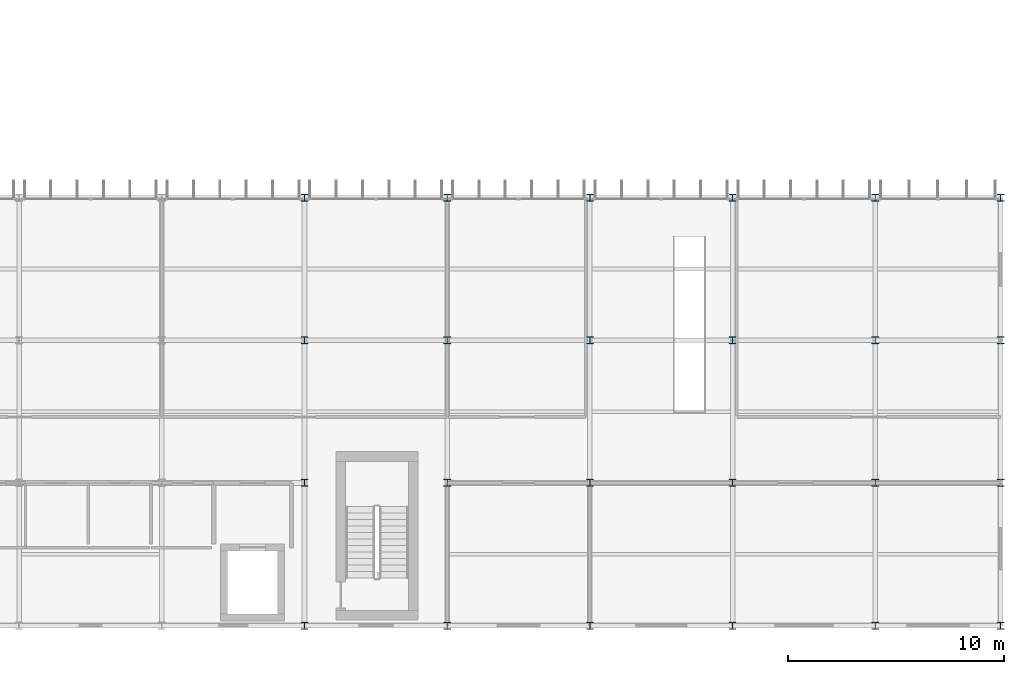
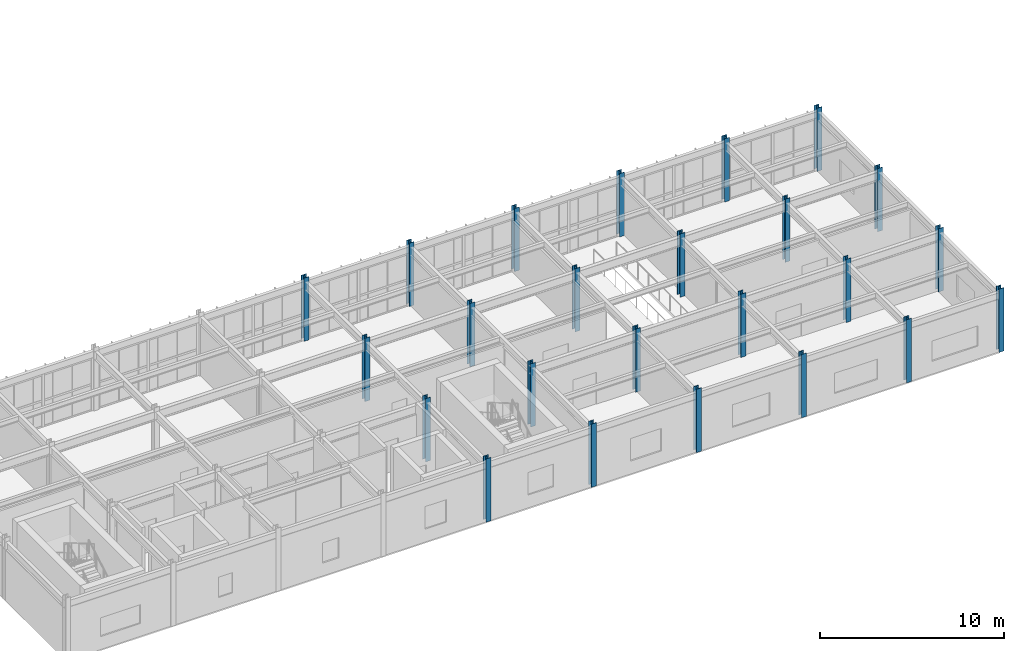
# One storey, part 18 of 130: 24 columns.
"""IFC4 building model written with IfcOpenShell, lengths in metres."""

from ifc_helpers import new_model, si_unit, direction, frame, origin, origin_2d, place, context, subcontext, project, spatial, i_section, extrude, material, material_profile, profile_set, type_object, element, save


model = new_model("IFC4")

# Units and contexts
model_context = context("Model", 3, precision=1e-05, world=origin(), true_north=direction((0.0, 1.0)))
body_context = subcontext(model_context, "Body", "Model", "MODEL_VIEW")
ifc_project = project(units=[si_unit("LENGTHUNIT", "METRE"), si_unit("AREAUNIT", "SQUARE_METRE"), si_unit("VOLUMEUNIT", "CUBIC_METRE"), si_unit("PLANEANGLEUNIT", "RADIAN"), si_unit("MASSUNIT", "GRAM", prefix="KILO")], contexts=[model_context])

# Site, building, storey
site_placement = place(None, origin())
site = spatial("IfcSite", under=ifc_project, at=site_placement, CompositionType="ELEMENT")
building_placement = place(site_placement, origin())
building = spatial("IfcBuilding", under=site, at=building_placement, Name="Karori Crest Natural Sciences Institute", CompositionType="ELEMENT")
storey_placement = place(building_placement, frame((0.0, 0.0, 17.5)))
storey = spatial("IfcBuildingStorey", under=building, at=storey_placement, Name="L04", CompositionType="ELEMENT", Elevation=17.5)

# Columns
ifc_material = material(Name="Structural steel AS/NZS 3679.1 Grade 350", Category="steel")
ifc_material_profile_1 = material_profile(ifc_material, i_section(OverallWidth=0.31103515625, OverallDepth=0.326904296875, WebThickness=0.015625, FlangeThickness=0.02490234375, FilletRadius=0.01708984375, at=origin_2d()), Name="310UC158")
ifc_profile_set_1 = profile_set([ifc_material_profile_1], Name="Structural steel AS/NZS 3679.1 Grade 350")
column_type_1 = type_object("IfcColumnType", Name="CT-04", PredefinedType="COLUMN", material=ifc_profile_set_1)
for number, where, z_axis, x_axis, name in (
    (1, (130.0, 0.800048828125, 0.0), (0.0, 0.0, 1.0), (1.0, 0.0, 0.0), "Column C-1214"),
    (2, (130.0, 20.60009765625, 0.0), (0.0, 0.0, 1.0), (1.0, 0.0, 0.0), "Column C-1250"),
    (3, (136.60009765625, 0.800048828125, 0.0), (0.0, 0.0, 1.0), (1.0, 0.0, 0.0), "Column C-1262"),
    (4, (136.60009765625, 20.60009765625, 0.0), (0.0, 0.0, 1.0), (1.0, 0.0, 0.0), "Column C-1298"),
    (5, (143.199951171875, 0.800048828125, 0.0), (0.0, 0.0, 1.0), (1.0, 0.0, 0.0), "Column C-1310"),
    (6, (143.199951171875, 20.60009765625, 0.0), (0.0, 0.0, 1.0), (1.0, 0.0, 0.0), "Column C-1343"),
    (7, (149.800048828125, 0.800048828125, 0.0), (0.0, 0.0, 1.0), (1.0, 0.0, 0.0), "Column C-1354"),
    (8, (149.800048828125, 20.60009765625, 0.0), (0.0, 0.0, 1.0), (1.0, 0.0, 0.0), "Column C-1387"),
    (9, (156.39990234375, 0.800048828125, 0.0), (0.0, 0.0, 1.0), (1.0, 0.0, 0.0), "Column C-1398"),
    (10, (156.39990234375, 20.60009765625, 0.0), (0.0, 0.0, 1.0), (1.0, 0.0, 0.0), "Column C-1425"),
    (11, (162.199951171875, 0.800048828125, 0.0), (0.0, 0.0, 1.0), (1.0, 0.0, 0.0), "Column C-1434"),
    (12, (162.199951171875, 7.39990234375, 0.0), (0.0, 0.0, 1.0), (1.0, 0.0, 0.0), "Column C-1441"),
    (13, (162.199951171875, 14.0, 0.0), (0.0, 0.0, 1.0), (1.0, 0.0, 0.0), "Column C-1448"),
    (14, (162.199951171875, 20.60009765625, 0.0), (0.0, 0.0, 1.0), (1.0, 0.0, 0.0), "Column C-1455"),
):
    element("IfcColumn", number, at=place(storey_placement, frame(where, z_axis=z_axis, x_axis=x_axis)), inside=storey, type_object=column_type_1, Name=name, PredefinedType="COLUMN", context=body_context, shape_type="SweptSolid", body=[
        extrude(i_section(OverallWidth=0.31103515625, OverallDepth=0.326904296875, WebThickness=0.015625, FlangeThickness=0.02490234375, FilletRadius=0.01708984375, at=origin_2d()), origin(), (0.0, 0.0, 1.0), 4.199951171875),
    ])
ifc_material_profile_2 = material_profile(ifc_material, i_section(OverallWidth=0.31103515625, OverallDepth=0.326904296875, WebThickness=0.015625, FlangeThickness=0.02490234375, FilletRadius=0.01708984375, at=origin_2d()), Name="310UC158")
ifc_profile_set_2 = profile_set([ifc_material_profile_2], Name="Structural steel AS/NZS 3679.1 Grade 350")
column_type_2 = type_object("IfcColumnType", Name="CT-04-IL", PredefinedType="COLUMN", material=ifc_profile_set_2)
for number, where, z_axis, x_axis, name in (
    (15, (130.0, 7.39990234375, 0.0), (0.0, 0.0, 1.0), (1.0, 0.0, 0.0), "Column C-1226"),
    (16, (130.0, 14.0, 0.0), (0.0, 0.0, 1.0), (1.0, 0.0, 0.0), "Column C-1238"),
    (17, (136.60009765625, 7.39990234375, 0.0), (0.0, 0.0, 1.0), (1.0, 0.0, 0.0), "Column C-1274"),
    (18, (136.60009765625, 14.0, 0.0), (0.0, 0.0, 1.0), (1.0, 0.0, 0.0), "Column C-1286"),
    (19, (143.199951171875, 7.39990234375, 0.0), (0.0, 0.0, 1.0), (1.0, 0.0, 0.0), "Column C-1321"),
    (20, (143.199951171875, 14.0, 0.0), (0.0, 0.0, 1.0), (1.0, 0.0, 0.0), "Column C-1332"),
    (21, (149.800048828125, 7.39990234375, 0.0), (0.0, 0.0, 1.0), (1.0, 0.0, 0.0), "Column C-1365"),
    (22, (149.800048828125, 14.0, 0.0), (0.0, 0.0, 1.0), (1.0, 0.0, 0.0), "Column C-1376"),
    (23, (156.39990234375, 7.39990234375, 0.0), (0.0, 0.0, 1.0), (1.0, 0.0, 0.0), "Column C-1407"),
    (24, (156.39990234375, 14.0, 0.0), (0.0, 0.0, 1.0), (1.0, 0.0, 0.0), "Column C-1416"),
):
    element("IfcColumn", number, at=place(storey_placement, frame(where, z_axis=z_axis, x_axis=x_axis)), inside=storey, type_object=column_type_2, Name=name, PredefinedType="COLUMN", context=body_context, shape_type="SweptSolid", body=[
        extrude(i_section(OverallWidth=0.31103515625, OverallDepth=0.326904296875, WebThickness=0.015625, FlangeThickness=0.02490234375, FilletRadius=0.01708984375, at=origin_2d()), origin(), (0.0, 0.0, 1.0), 4.199951171875),
    ])

save(model, "model.ifc")
